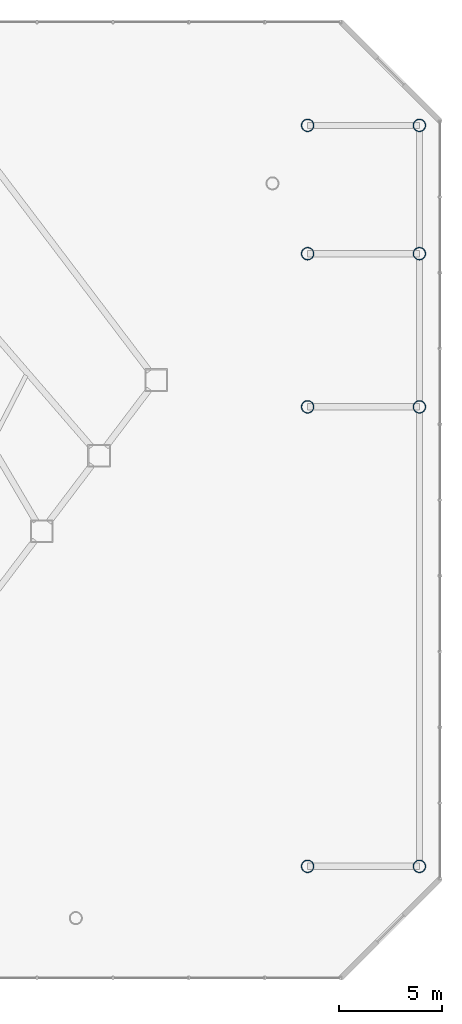
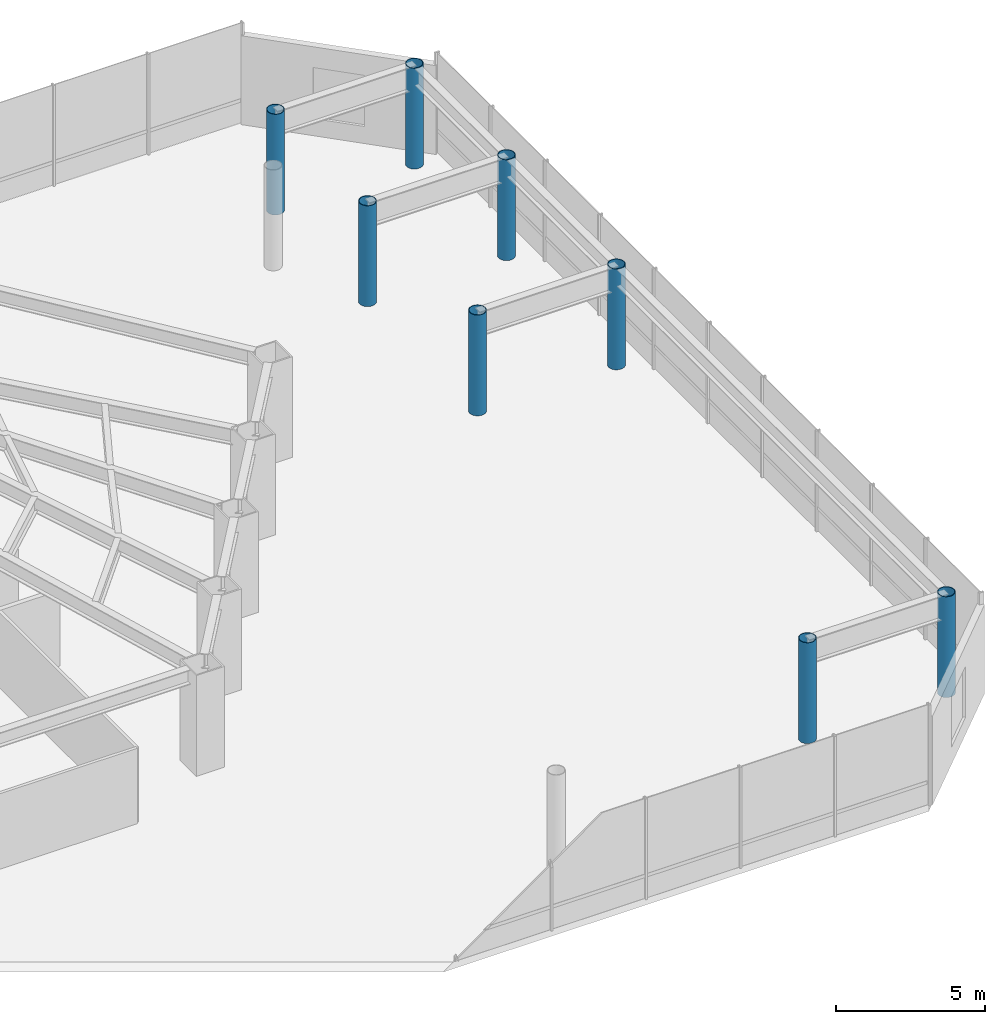
# One storey, part 3 of 37: 8 columns.
"""IFC4 building model written with IfcOpenShell, lengths in metres."""

from ifc_helpers import new_model, si_unit, direction, frame, origin, origin_2d, place, context, subcontext, project, spatial, hollow_circle, extrude, material, material_profile, profile_set, type_object, element, save


model = new_model("IFC4")

# Units and contexts
model_context = context("Model", 3, precision=1e-05, world=origin(), true_north=direction((0.0, 1.0)))
body_context = subcontext(model_context, "Body", "Model", "MODEL_VIEW")
ifc_project = project(units=[si_unit("LENGTHUNIT", "METRE"), si_unit("AREAUNIT", "SQUARE_METRE"), si_unit("VOLUMEUNIT", "CUBIC_METRE"), si_unit("PLANEANGLEUNIT", "RADIAN"), si_unit("MASSUNIT", "GRAM", prefix="KILO")], contexts=[model_context])

# Site, building, storey
site_placement = place(None, origin())
site = spatial("IfcSite", under=ifc_project, at=site_placement, CompositionType="ELEMENT")
building_placement = place(site_placement, origin())
building = spatial("IfcBuilding", under=site, at=building_placement, Name="Zarrinselat Tower", CompositionType="ELEMENT")
storey_placement = place(building_placement, frame((0.0, 0.0, 9.52001953125)))
storey = spatial("IfcBuildingStorey", under=building, at=storey_placement, Name="L02", CompositionType="ELEMENT", Elevation=9.52001953125)

# Columns
ifc_material = material(Name="Steel S355J2", Category="steel")
ifc_material_profile = material_profile(ifc_material, hollow_circle(Radius=0.304931640625, WallThickness=0.02490234375, at=origin_2d()), Name="CHS 610x25")
ifc_profile_set = profile_set([ifc_material_profile], Name="Steel S355J2")
column_type = type_object("IfcColumnType", Name="COL-CHS610", PredefinedType="COLUMN", material=ifc_profile_set)
for number, where, z_axis, x_axis, name in (
    (1, (73.39990234375, 11.0, 0.0), (0.0, 0.0, 1.0), (1.0, 0.0, 0.0), "L02 Podium Outer Column E-11"),
    (2, (68.0, 11.0, 0.0), (0.0, 0.0, 1.0), (1.0, 0.0, 0.0), "L02 Podium Anchor Column E-11"),
    (3, (73.39990234375, 33.199951171875, 0.0), (0.0, 0.0, 1.0), (1.0, 0.0, 0.0), "L02 Podium Outer Column E-33"),
    (4, (68.0, 33.199951171875, 0.0), (0.0, 0.0, 1.0), (1.0, 0.0, 0.0), "L02 Podium Anchor Column E-33"),
    (5, (73.39990234375, 40.60009765625, 0.0), (0.0, 0.0, 1.0), (1.0, 0.0, 0.0), "L02 Podium Outer Column E-40"),
    (6, (68.0, 40.60009765625, 0.0), (0.0, 0.0, 1.0), (1.0, 0.0, 0.0), "L02 Podium Anchor Column E-40"),
    (7, (73.39990234375, 46.800048828125, 0.0), (0.0, 0.0, 1.0), (1.0, 0.0, 0.0), "L02 Podium Outer Column E-46"),
    (8, (68.0, 46.800048828125, 0.0), (0.0, 0.0, 1.0), (1.0, 0.0, 0.0), "L02 Podium Anchor Column E-46"),
):
    element("IfcColumn", number, at=place(storey_placement, frame(where, z_axis=z_axis, x_axis=x_axis)), inside=storey, type_object=column_type, Name=name, PredefinedType="COLUMN", context=body_context, shape_type="SweptSolid", body=[
        extrude(hollow_circle(Radius=0.304931640625, WallThickness=0.02490234375, at=origin_2d()), origin(), (0.0, 0.0, 1.0), 4.139892578125),
    ])

save(model, "model.ifc")
